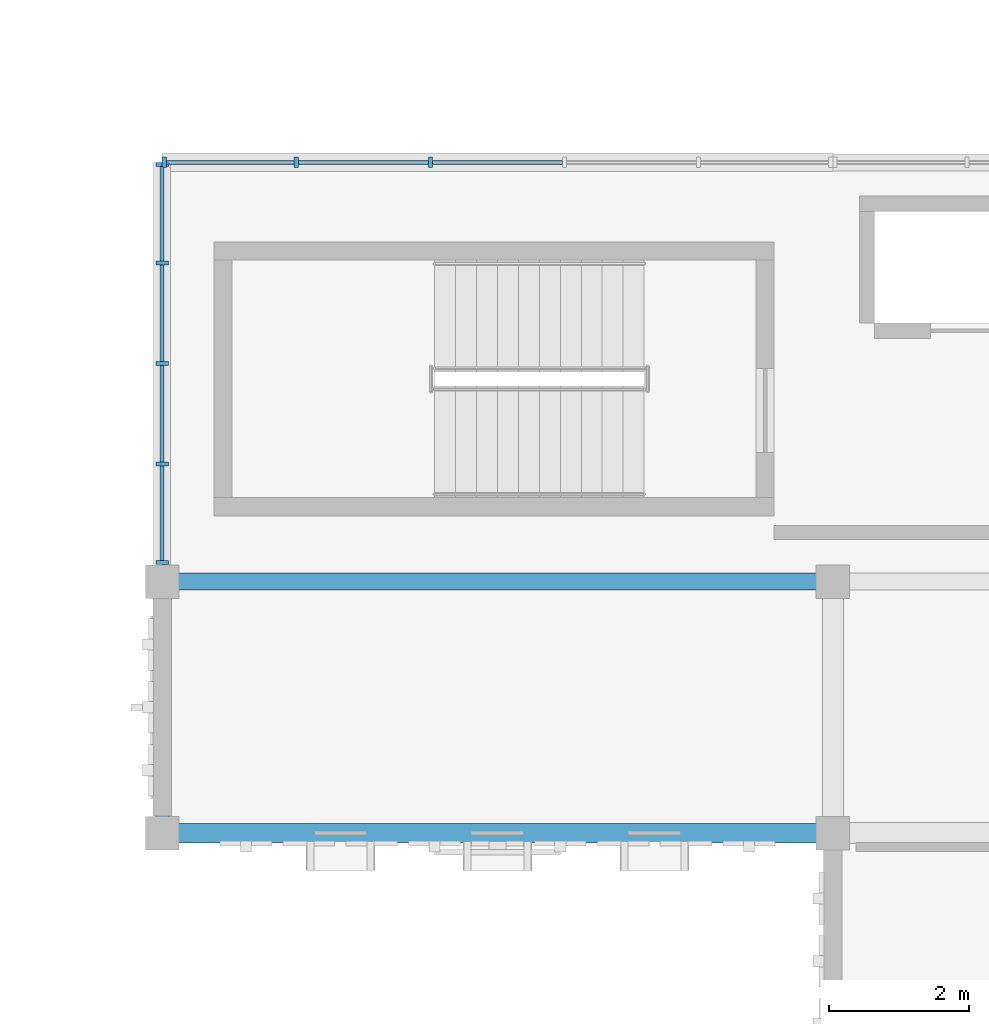
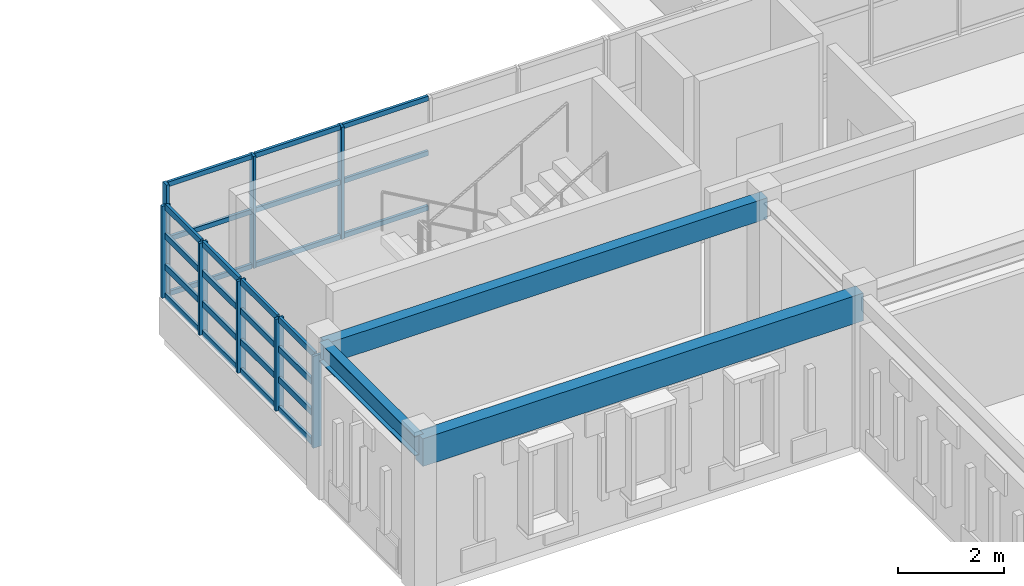
# One storey, part 11 of 53: 33 members, 3 beams, 2 elements without a shape of their own.
"""IFC4 building model written with IfcOpenShell, lengths in metres."""

from ifc_helpers import new_model, si_unit, direction, frame, origin, origin_2d, place, context, subcontext, project, spatial, rectangle, i_section, extrude, material, material_profile, profile_set, type_object, element, aggregate, save


model = new_model("IFC4")

# Units and contexts
model_context = context("Model", 3, precision=1e-05, world=origin(), true_north=direction((0.0, 1.0)))
body_context = subcontext(model_context, "Body", "Model", "MODEL_VIEW")
ifc_project = project(units=[si_unit("LENGTHUNIT", "METRE"), si_unit("AREAUNIT", "SQUARE_METRE"), si_unit("VOLUMEUNIT", "CUBIC_METRE"), si_unit("PLANEANGLEUNIT", "RADIAN"), si_unit("MASSUNIT", "GRAM", prefix="KILO")], contexts=[model_context])

# Site, building, storey
site_placement = place(None, origin())
site = spatial("IfcSite", under=ifc_project, at=site_placement, CompositionType="ELEMENT")
building_placement = place(site_placement, origin())
building = spatial("IfcBuilding", under=site, at=building_placement, Name="Nzembalo Square Collegiate School", CompositionType="ELEMENT")
storey_placement = place(building_placement, frame((0.0, 0.0, 13.60009765625)))
storey = spatial("IfcBuildingStorey", under=building, at=storey_placement, Name="L03", CompositionType="ELEMENT", Elevation=13.60009765625)

# Beams
ifc_material_1 = material(Name="Glulam GL32h", Category="wood")
ifc_material_profile_1 = material_profile(ifc_material_1, rectangle(XDim=0.280029296875, YDim=0.639892578125, at=origin_2d()), Name="GL32h 280x640")
ifc_profile_set_1 = profile_set([ifc_material_profile_1], Name="Glulam GL32h")
beam_type_1 = type_object("IfcBeamType", Name="B04", PredefinedType="BEAM", material=ifc_profile_set_1)
beam_1_placement = place(storey_placement, frame((130.800048828125, 79.199951171875, 3.135009765625), z_axis=(1.0, 0.0, 0.0), x_axis=(0.0, 1.0, 0.0)))
element("IfcBeam", 1, at=beam_1_placement, inside=storey, type_object=beam_type_1, Name="Beam B04 L03", PredefinedType="BEAM", context=body_context, shape_type="SweptSolid", body=[
    extrude(rectangle(XDim=0.280029296875, YDim=0.639892578125, at=origin_2d()), origin(), (0.0, 0.0, 1.0), 9.599853515625),
])
ifc_material_2 = material(Name="Steel S355", Category="steel")
ifc_material_profile_2 = material_profile(ifc_material_2, i_section(OverallWidth=0.18994140625, OverallDepth=0.449951171875, WebThickness=0.009521484375, FlangeThickness=0.0146484375, at=origin_2d()), Name="IPE 450")
ifc_profile_set_2 = profile_set([ifc_material_profile_2], Name="Steel S355")
beam_type_2 = type_object("IfcBeamType", Name="B09", PredefinedType="BEAM", material=ifc_profile_set_2)
beam_2_placement = place(storey_placement, frame((130.800048828125, 79.199951171875, 3.22998046875), z_axis=(0.0, 1.0, 0.0), x_axis=(-1.0, 0.0, 0.0)))
element("IfcBeam", 2, at=beam_2_placement, inside=storey, type_object=beam_type_2, Name="Beam B09 L03", PredefinedType="BEAM", context=body_context, shape_type="SweptSolid", body=[
    extrude(i_section(OverallWidth=0.18994140625, OverallDepth=0.449951171875, WebThickness=0.009521484375, FlangeThickness=0.0146484375, at=origin_2d()), origin(), (0.0, 0.0, 1.0), 3.60009765625),
])
ifc_material_3 = material(Name="Glulam GL28h", Category="wood")
ifc_material_profile_3 = material_profile(ifc_material_3, rectangle(XDim=0.239990234375, YDim=0.47998046875, at=origin_2d()), Name="GL28h 240x480")
ifc_profile_set_3 = profile_set([ifc_material_profile_3], Name="Glulam GL28h")
beam_type_3 = type_object("IfcBeamType", Name="SP02", PredefinedType="SPANDREL", material=ifc_profile_set_3)
beam_3_placement = place(storey_placement, frame((130.800048828125, 82.800048828125, 3.21484375), z_axis=(1.0, 0.0, 0.0), x_axis=(0.0, 1.0, 0.0)))
element("IfcBeam", 3, at=beam_3_placement, inside=storey, type_object=beam_type_3, Name="Beam SP02 L03", PredefinedType="SPANDREL", context=body_context, shape_type="SweptSolid", body=[
    extrude(rectangle(XDim=0.239990234375, YDim=0.47998046875, at=origin_2d()), origin(), (0.0, 0.0, 1.0), 9.599853515625),
])

# Curtain wall, members
ifc_material_4 = material(Name="Aluminium 6060-T66", Category="aluminium")
curtain_wall_type_1 = type_object("IfcCurtainWallType", Name="CW-02", PredefinedType="USERDEFINED", material=ifc_material_4)
curtain_wall_1_placement = place(storey_placement, origin())
curtain_wall_1 = element("IfcCurtainWall", 4, at=curtain_wall_1_placement, inside=storey, type_object=curtain_wall_type_1, Name="Curtain wall CW-02 cw:L03:121", ObjectType="UNITISED", PredefinedType="USERDEFINED")
ifc_material_5 = material(Name="Aluminium 6060-T66", Category="aluminium")
ifc_material_profile_4 = material_profile(ifc_material_5, rectangle(XDim=0.06005859375, YDim=0.179931640625, at=origin_2d()), Name="ALU M60x180")
ifc_profile_set_4 = profile_set([ifc_material_profile_4], Name="Aluminium 6060-T66")
member_type_1 = type_object("IfcMemberType", Name="ML01", PredefinedType="MULLION", material=ifc_profile_set_4)
member_1_placement = place(storey_placement, frame((130.800048828125, 83.072021484375, 0.849853515625), z_axis=(0.0, 0.0, 1.0), x_axis=(0.0, 1.0, 0.0)))
member_1 = element("IfcMember", 5, at=member_1_placement, type_object=member_type_1, Name="ML01 mullion 1", PredefinedType="MULLION", context=body_context, shape_type="SweptSolid", body=[
    extrude(rectangle(XDim=0.06005859375, YDim=0.179931640625, at=origin_2d()), origin(), (0.0, 0.0, 1.0), 2.119140625),
])
member_2_placement = place(storey_placement, frame((130.800048828125, 84.4814453125, 0.849853515625), z_axis=(0.0, 0.0, 1.0), x_axis=(0.0, 1.0, 0.0)))
member_2 = element("IfcMember", 6, at=member_2_placement, type_object=member_type_1, Name="ML01 mullion 2", PredefinedType="MULLION", context=body_context, shape_type="SweptSolid", body=[
    extrude(rectangle(XDim=0.06005859375, YDim=0.179931640625, at=origin_2d()), origin(), (0.0, 0.0, 1.0), 2.119140625),
])
member_3_placement = place(storey_placement, frame((130.800048828125, 85.9208984375, 0.849853515625), z_axis=(0.0, 0.0, 1.0), x_axis=(0.0, 1.0, 0.0)))
member_3 = element("IfcMember", 7, at=member_3_placement, type_object=member_type_1, Name="ML01 mullion 3", PredefinedType="MULLION", context=body_context, shape_type="SweptSolid", body=[
    extrude(rectangle(XDim=0.06005859375, YDim=0.179931640625, at=origin_2d()), origin(), (0.0, 0.0, 1.0), 2.119140625),
])
member_4_placement = place(storey_placement, frame((130.800048828125, 87.360595703125, 0.849853515625), z_axis=(0.0, 0.0, 1.0), x_axis=(0.0, 1.0, 0.0)))
member_4 = element("IfcMember", 8, at=member_4_placement, type_object=member_type_1, Name="ML01 mullion 4", PredefinedType="MULLION", context=body_context, shape_type="SweptSolid", body=[
    extrude(rectangle(XDim=0.06005859375, YDim=0.179931640625, at=origin_2d()), origin(), (0.0, 0.0, 1.0), 2.119140625),
])
member_5_placement = place(storey_placement, frame((130.800048828125, 88.77001953125, 0.849853515625), z_axis=(0.0, 0.0, 1.0), x_axis=(0.0, 1.0, 0.0)))
member_5 = element("IfcMember", 9, at=member_5_placement, type_object=member_type_1, Name="ML01 mullion 5", PredefinedType="MULLION", context=body_context, shape_type="SweptSolid", body=[
    extrude(rectangle(XDim=0.06005859375, YDim=0.179931640625, at=origin_2d()), origin(), (0.0, 0.0, 1.0), 2.119140625),
])

ifc_material_6 = material(Name="Aluminium 6060-T66", Category="aluminium")
curtain_wall_type_2 = type_object("IfcCurtainWallType", Name="CW-11", PredefinedType="USERDEFINED", material=ifc_material_6)
curtain_wall_2_placement = place(storey_placement, origin())
curtain_wall_2 = element("IfcCurtainWall", 10, at=curtain_wall_2_placement, inside=storey, type_object=curtain_wall_type_2, Name="Curtain wall CW-11 cw:L03:122", ObjectType="LANCET", PredefinedType="USERDEFINED")
ifc_material_7 = material(Name="Aluminium 6060-T66", Category="aluminium")
ifc_material_profile_5 = material_profile(ifc_material_7, rectangle(XDim=0.06005859375, YDim=0.14990234375, at=origin_2d()), Name="ALU M60x150")
ifc_profile_set_5 = profile_set([ifc_material_profile_5], Name="Aluminium 6060-T66")
member_type_2 = type_object("IfcMemberType", Name="ML02", PredefinedType="MULLION", material=ifc_profile_set_5)
member_6_placement = place(storey_placement, frame((130.830078125, 88.800048828125, 0.849853515625), z_axis=(0.0, 0.0, 1.0), x_axis=(1.0, 0.0, 0.0)))
member_6 = element("IfcMember", 11, at=member_6_placement, type_object=member_type_2, Name="ML02 mullion 1", PredefinedType="MULLION", context=body_context, shape_type="SweptSolid", body=[
    extrude(rectangle(XDim=0.06005859375, YDim=0.14990234375, at=origin_2d()), origin(), (0.0, 0.0, 1.0), 2.583984375),
])
member_7_placement = place(storey_placement, frame((132.719970703125, 88.800048828125, 0.849853515625), z_axis=(0.0, 0.0, 1.0), x_axis=(1.0, 0.0, 0.0)))
member_7 = element("IfcMember", 12, at=member_7_placement, type_object=member_type_2, Name="ML02 mullion 2", PredefinedType="MULLION", context=body_context, shape_type="SweptSolid", body=[
    extrude(rectangle(XDim=0.06005859375, YDim=0.14990234375, at=origin_2d()), origin(), (0.0, 0.0, 1.0), 2.583984375),
])
member_8_placement = place(storey_placement, frame((134.639892578125, 88.800048828125, 0.849853515625), z_axis=(0.0, 0.0, 1.0), x_axis=(1.0, 0.0, 0.0)))
member_8 = element("IfcMember", 13, at=member_8_placement, type_object=member_type_2, Name="ML02 mullion 3", PredefinedType="MULLION", context=body_context, shape_type="SweptSolid", body=[
    extrude(rectangle(XDim=0.06005859375, YDim=0.14990234375, at=origin_2d()), origin(), (0.0, 0.0, 1.0), 2.583984375),
])

# Member
ifc_material_8 = material(Name="Aluminium 6060-T66", Category="aluminium")
ifc_material_profile_6 = material_profile(ifc_material_8, rectangle(XDim=0.06005859375, YDim=0.139892578125, at=origin_2d()), Name="ALU T60x140")
ifc_profile_set_6 = profile_set([ifc_material_profile_6], Name="Aluminium 6060-T66")
member_type_3 = type_object("IfcMemberType", Name="TR01", PredefinedType="USERDEFINED", material=ifc_profile_set_6)
member_9_placement = place(storey_placement, frame((130.800048828125, 83.10205078125, 0.8798828125), z_axis=(0.0, 1.0, 0.0), x_axis=(-1.0, 0.0, 0.0)))
member_9 = element("IfcMember", 14, at=member_9_placement, type_object=member_type_3, Name="TR01 transom 1-1", ObjectType="TRANSOM", PredefinedType="USERDEFINED", context=body_context, shape_type="SweptSolid", body=[
    extrude(rectangle(XDim=0.06005859375, YDim=0.139892578125, at=origin_2d()), origin(), (0.0, 0.0, 1.0), 1.349365234375),
])

member_10_placement = place(storey_placement, frame((130.800048828125, 84.511474609375, 0.8798828125), z_axis=(0.0, 1.0, 0.0), x_axis=(-1.0, 0.0, 0.0)))
member_10 = element("IfcMember", 15, at=member_10_placement, type_object=member_type_3, Name="TR01 transom 1-2", ObjectType="TRANSOM", PredefinedType="USERDEFINED", context=body_context, shape_type="SweptSolid", body=[
    extrude(rectangle(XDim=0.06005859375, YDim=0.139892578125, at=origin_2d()), origin(), (0.0, 0.0, 1.0), 1.379638671875),
])

member_11_placement = place(storey_placement, frame((130.800048828125, 85.950927734375, 0.8798828125), z_axis=(0.0, 1.0, 0.0), x_axis=(-1.0, 0.0, 0.0)))
member_11 = element("IfcMember", 16, at=member_11_placement, type_object=member_type_3, Name="TR01 transom 1-3", ObjectType="TRANSOM", PredefinedType="USERDEFINED", context=body_context, shape_type="SweptSolid", body=[
    extrude(rectangle(XDim=0.06005859375, YDim=0.139892578125, at=origin_2d()), origin(), (0.0, 0.0, 1.0), 1.379638671875),
])

member_12_placement = place(storey_placement, frame((130.800048828125, 87.390380859375, 0.8798828125), z_axis=(0.0, 1.0, 0.0), x_axis=(-1.0, 0.0, 0.0)))
member_12 = element("IfcMember", 17, at=member_12_placement, type_object=member_type_3, Name="TR01 transom 1-4", ObjectType="TRANSOM", PredefinedType="USERDEFINED", context=body_context, shape_type="SweptSolid", body=[
    extrude(rectangle(XDim=0.06005859375, YDim=0.139892578125, at=origin_2d()), origin(), (0.0, 0.0, 1.0), 1.349609375),
])

member_13_placement = place(storey_placement, frame((130.800048828125, 83.10205078125, 1.55615234375), z_axis=(0.0, 1.0, 0.0), x_axis=(-1.0, 0.0, 0.0)))
member_13 = element("IfcMember", 18, at=member_13_placement, type_object=member_type_3, Name="TR01 transom 2-1", ObjectType="TRANSOM", PredefinedType="USERDEFINED", context=body_context, shape_type="SweptSolid", body=[
    extrude(rectangle(XDim=0.06005859375, YDim=0.139892578125, at=origin_2d()), origin(), (0.0, 0.0, 1.0), 1.349365234375),
])

member_14_placement = place(storey_placement, frame((130.800048828125, 84.511474609375, 1.55615234375), z_axis=(0.0, 1.0, 0.0), x_axis=(-1.0, 0.0, 0.0)))
member_14 = element("IfcMember", 19, at=member_14_placement, type_object=member_type_3, Name="TR01 transom 2-2", ObjectType="TRANSOM", PredefinedType="USERDEFINED", context=body_context, shape_type="SweptSolid", body=[
    extrude(rectangle(XDim=0.06005859375, YDim=0.139892578125, at=origin_2d()), origin(), (0.0, 0.0, 1.0), 1.379638671875),
])

member_15_placement = place(storey_placement, frame((130.800048828125, 85.950927734375, 1.55615234375), z_axis=(0.0, 1.0, 0.0), x_axis=(-1.0, 0.0, 0.0)))
member_15 = element("IfcMember", 20, at=member_15_placement, type_object=member_type_3, Name="TR01 transom 2-3", ObjectType="TRANSOM", PredefinedType="USERDEFINED", context=body_context, shape_type="SweptSolid", body=[
    extrude(rectangle(XDim=0.06005859375, YDim=0.139892578125, at=origin_2d()), origin(), (0.0, 0.0, 1.0), 1.379638671875),
])

member_16_placement = place(storey_placement, frame((130.800048828125, 87.390380859375, 1.55615234375), z_axis=(0.0, 1.0, 0.0), x_axis=(-1.0, 0.0, 0.0)))
member_16 = element("IfcMember", 21, at=member_16_placement, type_object=member_type_3, Name="TR01 transom 2-4", ObjectType="TRANSOM", PredefinedType="USERDEFINED", context=body_context, shape_type="SweptSolid", body=[
    extrude(rectangle(XDim=0.06005859375, YDim=0.139892578125, at=origin_2d()), origin(), (0.0, 0.0, 1.0), 1.349609375),
])

member_17_placement = place(storey_placement, frame((130.800048828125, 83.10205078125, 2.262451171875), z_axis=(0.0, 1.0, 0.0), x_axis=(-1.0, 0.0, 0.0)))
member_17 = element("IfcMember", 22, at=member_17_placement, type_object=member_type_3, Name="TR01 transom 3-1", ObjectType="TRANSOM", PredefinedType="USERDEFINED", context=body_context, shape_type="SweptSolid", body=[
    extrude(rectangle(XDim=0.06005859375, YDim=0.139892578125, at=origin_2d()), origin(), (0.0, 0.0, 1.0), 1.349365234375),
])

member_18_placement = place(storey_placement, frame((130.800048828125, 84.511474609375, 2.262451171875), z_axis=(0.0, 1.0, 0.0), x_axis=(-1.0, 0.0, 0.0)))
member_18 = element("IfcMember", 23, at=member_18_placement, type_object=member_type_3, Name="TR01 transom 3-2", ObjectType="TRANSOM", PredefinedType="USERDEFINED", context=body_context, shape_type="SweptSolid", body=[
    extrude(rectangle(XDim=0.06005859375, YDim=0.139892578125, at=origin_2d()), origin(), (0.0, 0.0, 1.0), 1.379638671875),
])

member_19_placement = place(storey_placement, frame((130.800048828125, 85.950927734375, 2.262451171875), z_axis=(0.0, 1.0, 0.0), x_axis=(-1.0, 0.0, 0.0)))
member_19 = element("IfcMember", 24, at=member_19_placement, type_object=member_type_3, Name="TR01 transom 3-3", ObjectType="TRANSOM", PredefinedType="USERDEFINED", context=body_context, shape_type="SweptSolid", body=[
    extrude(rectangle(XDim=0.06005859375, YDim=0.139892578125, at=origin_2d()), origin(), (0.0, 0.0, 1.0), 1.379638671875),
])

member_20_placement = place(storey_placement, frame((130.800048828125, 87.390380859375, 2.262451171875), z_axis=(0.0, 1.0, 0.0), x_axis=(-1.0, 0.0, 0.0)))
member_20 = element("IfcMember", 25, at=member_20_placement, type_object=member_type_3, Name="TR01 transom 3-4", ObjectType="TRANSOM", PredefinedType="USERDEFINED", context=body_context, shape_type="SweptSolid", body=[
    extrude(rectangle(XDim=0.06005859375, YDim=0.139892578125, at=origin_2d()), origin(), (0.0, 0.0, 1.0), 1.349609375),
])

member_21_placement = place(storey_placement, frame((130.800048828125, 83.10205078125, 2.93896484375), z_axis=(0.0, 1.0, 0.0), x_axis=(-1.0, 0.0, 0.0)))
member_21 = element("IfcMember", 26, at=member_21_placement, type_object=member_type_3, Name="TR01 transom 4-1", ObjectType="TRANSOM", PredefinedType="USERDEFINED", context=body_context, shape_type="SweptSolid", body=[
    extrude(rectangle(XDim=0.06005859375, YDim=0.139892578125, at=origin_2d()), origin(), (0.0, 0.0, 1.0), 1.349365234375),
])

member_22_placement = place(storey_placement, frame((130.800048828125, 84.511474609375, 2.93896484375), z_axis=(0.0, 1.0, 0.0), x_axis=(-1.0, 0.0, 0.0)))
member_22 = element("IfcMember", 27, at=member_22_placement, type_object=member_type_3, Name="TR01 transom 4-2", ObjectType="TRANSOM", PredefinedType="USERDEFINED", context=body_context, shape_type="SweptSolid", body=[
    extrude(rectangle(XDim=0.06005859375, YDim=0.139892578125, at=origin_2d()), origin(), (0.0, 0.0, 1.0), 1.379638671875),
])

member_23_placement = place(storey_placement, frame((130.800048828125, 85.950927734375, 2.93896484375), z_axis=(0.0, 1.0, 0.0), x_axis=(-1.0, 0.0, 0.0)))
member_23 = element("IfcMember", 28, at=member_23_placement, type_object=member_type_3, Name="TR01 transom 4-3", ObjectType="TRANSOM", PredefinedType="USERDEFINED", context=body_context, shape_type="SweptSolid", body=[
    extrude(rectangle(XDim=0.06005859375, YDim=0.139892578125, at=origin_2d()), origin(), (0.0, 0.0, 1.0), 1.379638671875),
])

member_24_placement = place(storey_placement, frame((130.800048828125, 87.390380859375, 2.93896484375), z_axis=(0.0, 1.0, 0.0), x_axis=(-1.0, 0.0, 0.0)))
member_24 = element("IfcMember", 29, at=member_24_placement, type_object=member_type_3, Name="TR01 transom 4-4", ObjectType="TRANSOM", PredefinedType="USERDEFINED", context=body_context, shape_type="SweptSolid", body=[
    extrude(rectangle(XDim=0.06005859375, YDim=0.139892578125, at=origin_2d()), origin(), (0.0, 0.0, 1.0), 1.349609375),
])

aggregate(curtain_wall_1, [member_1, member_2, member_3, member_4, member_5, member_9, member_10, member_11, member_12, member_13, member_14, member_15, member_16, member_17, member_18, member_19, member_20, member_21, member_22, member_23, member_24])

ifc_material_9 = material(Name="Aluminium 6060-T66", Category="aluminium")
ifc_material_profile_7 = material_profile(ifc_material_9, rectangle(XDim=0.06005859375, YDim=0.110107421875, at=origin_2d()), Name="ALU T60x110")
ifc_profile_set_7 = profile_set([ifc_material_profile_7], Name="Aluminium 6060-T66")
member_type_4 = type_object("IfcMemberType", Name="TR02", PredefinedType="USERDEFINED", material=ifc_profile_set_7)
member_25_placement = place(storey_placement, frame((130.860107421875, 88.800048828125, 0.8798828125), z_axis=(1.0, 0.0, 0.0), x_axis=(0.0, 1.0, 0.0)))
member_25 = element("IfcMember", 30, at=member_25_placement, type_object=member_type_4, Name="TR02 transom 1-1", ObjectType="TRANSOM", PredefinedType="USERDEFINED", context=body_context, shape_type="SweptSolid", body=[
    extrude(rectangle(XDim=0.06005859375, YDim=0.110107421875, at=origin_2d()), origin(), (0.0, 0.0, 1.0), 1.829833984375),
])

member_26_placement = place(storey_placement, frame((132.75, 88.800048828125, 0.8798828125), z_axis=(1.0, 0.0, 0.0), x_axis=(0.0, 1.0, 0.0)))
member_26 = element("IfcMember", 31, at=member_26_placement, type_object=member_type_4, Name="TR02 transom 1-2", ObjectType="TRANSOM", PredefinedType="USERDEFINED", context=body_context, shape_type="SweptSolid", body=[
    extrude(rectangle(XDim=0.06005859375, YDim=0.110107421875, at=origin_2d()), origin(), (0.0, 0.0, 1.0), 1.860107421875),
])

member_27_placement = place(storey_placement, frame((134.669921875, 88.800048828125, 0.8798828125), z_axis=(1.0, 0.0, 0.0), x_axis=(0.0, 1.0, 0.0)))
member_27 = element("IfcMember", 32, at=member_27_placement, type_object=member_type_4, Name="TR02 transom 1-3", ObjectType="TRANSOM", PredefinedType="USERDEFINED", context=body_context, shape_type="SweptSolid", body=[
    extrude(rectangle(XDim=0.06005859375, YDim=0.110107421875, at=origin_2d()), origin(), (0.0, 0.0, 1.0), 1.860107421875),
])

member_28_placement = place(storey_placement, frame((130.860107421875, 88.800048828125, 2.141845703125), z_axis=(1.0, 0.0, 0.0), x_axis=(0.0, 1.0, 0.0)))
member_28 = element("IfcMember", 33, at=member_28_placement, type_object=member_type_4, Name="TR02 transom 2-1", ObjectType="TRANSOM", PredefinedType="USERDEFINED", context=body_context, shape_type="SweptSolid", body=[
    extrude(rectangle(XDim=0.06005859375, YDim=0.110107421875, at=origin_2d()), origin(), (0.0, 0.0, 1.0), 1.829833984375),
])

member_29_placement = place(storey_placement, frame((132.75, 88.800048828125, 2.141845703125), z_axis=(1.0, 0.0, 0.0), x_axis=(0.0, 1.0, 0.0)))
member_29 = element("IfcMember", 34, at=member_29_placement, type_object=member_type_4, Name="TR02 transom 2-2", ObjectType="TRANSOM", PredefinedType="USERDEFINED", context=body_context, shape_type="SweptSolid", body=[
    extrude(rectangle(XDim=0.06005859375, YDim=0.110107421875, at=origin_2d()), origin(), (0.0, 0.0, 1.0), 1.860107421875),
])

member_30_placement = place(storey_placement, frame((134.669921875, 88.800048828125, 2.141845703125), z_axis=(1.0, 0.0, 0.0), x_axis=(0.0, 1.0, 0.0)))
member_30 = element("IfcMember", 35, at=member_30_placement, type_object=member_type_4, Name="TR02 transom 2-3", ObjectType="TRANSOM", PredefinedType="USERDEFINED", context=body_context, shape_type="SweptSolid", body=[
    extrude(rectangle(XDim=0.06005859375, YDim=0.110107421875, at=origin_2d()), origin(), (0.0, 0.0, 1.0), 1.860107421875),
])

member_31_placement = place(storey_placement, frame((130.860107421875, 88.800048828125, 3.40380859375), z_axis=(1.0, 0.0, 0.0), x_axis=(0.0, 1.0, 0.0)))
member_31 = element("IfcMember", 36, at=member_31_placement, type_object=member_type_4, Name="TR02 transom 3-1", ObjectType="TRANSOM", PredefinedType="USERDEFINED", context=body_context, shape_type="SweptSolid", body=[
    extrude(rectangle(XDim=0.06005859375, YDim=0.110107421875, at=origin_2d()), origin(), (0.0, 0.0, 1.0), 1.829833984375),
])

member_32_placement = place(storey_placement, frame((132.75, 88.800048828125, 3.40380859375), z_axis=(1.0, 0.0, 0.0), x_axis=(0.0, 1.0, 0.0)))
member_32 = element("IfcMember", 37, at=member_32_placement, type_object=member_type_4, Name="TR02 transom 3-2", ObjectType="TRANSOM", PredefinedType="USERDEFINED", context=body_context, shape_type="SweptSolid", body=[
    extrude(rectangle(XDim=0.06005859375, YDim=0.110107421875, at=origin_2d()), origin(), (0.0, 0.0, 1.0), 1.860107421875),
])

member_33_placement = place(storey_placement, frame((134.669921875, 88.800048828125, 3.40380859375), z_axis=(1.0, 0.0, 0.0), x_axis=(0.0, 1.0, 0.0)))
member_33 = element("IfcMember", 38, at=member_33_placement, type_object=member_type_4, Name="TR02 transom 3-3", ObjectType="TRANSOM", PredefinedType="USERDEFINED", context=body_context, shape_type="SweptSolid", body=[
    extrude(rectangle(XDim=0.06005859375, YDim=0.110107421875, at=origin_2d()), origin(), (0.0, 0.0, 1.0), 1.860107421875),
])

aggregate(curtain_wall_2, [member_6, member_7, member_8, member_25, member_26, member_27, member_28, member_29, member_30, member_31, member_32, member_33])

save(model, "model.ifc")
